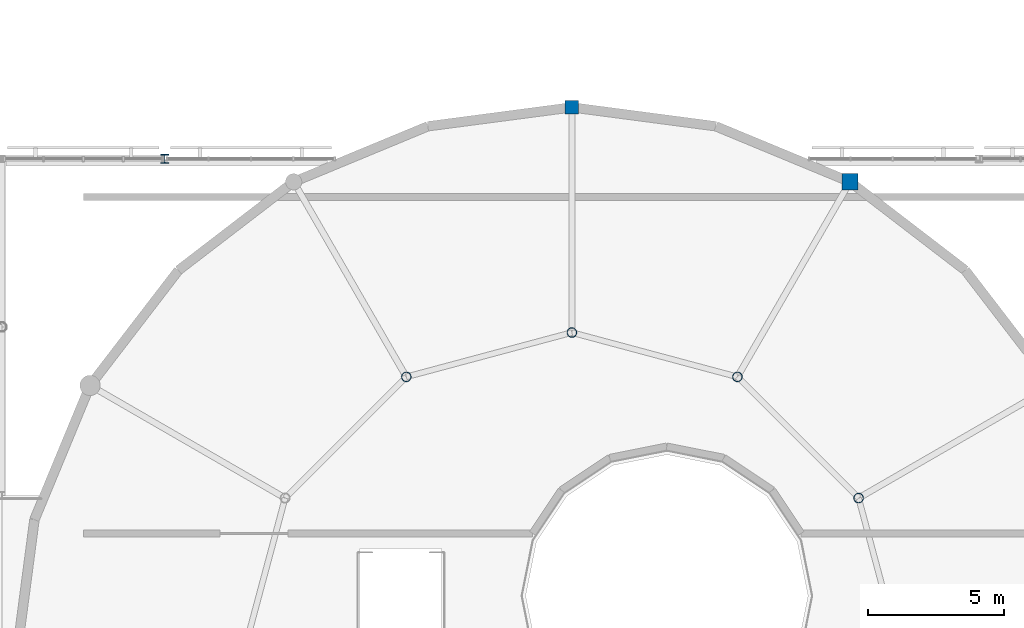
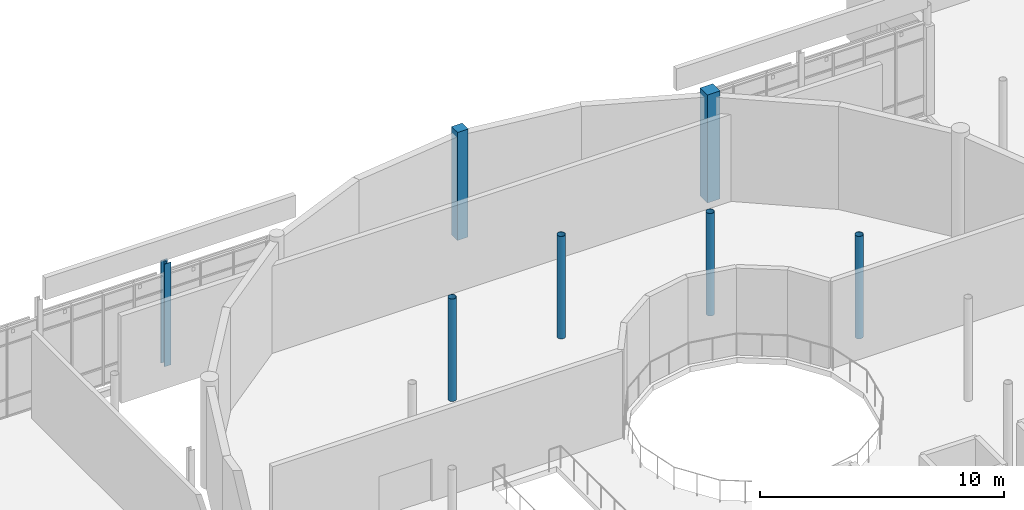
# One storey, part 10 of 105: 7 columns.
"""IFC4 building model written with IfcOpenShell, lengths in metres."""

from ifc_helpers import new_model, si_unit, direction, frame, origin, origin_2d, place, context, subcontext, project, spatial, rectangle, hollow_circle, i_section, extrude, material, material_profile, profile_set, type_object, element, save


model = new_model("IFC4")

# Units and contexts
model_context = context("Model", 3, precision=1e-05, world=origin(), true_north=direction((0.0, 1.0)))
body_context = subcontext(model_context, "Body", "Model", "MODEL_VIEW")
ifc_project = project(units=[si_unit("LENGTHUNIT", "METRE"), si_unit("AREAUNIT", "SQUARE_METRE"), si_unit("VOLUMEUNIT", "CUBIC_METRE"), si_unit("PLANEANGLEUNIT", "RADIAN"), si_unit("MASSUNIT", "GRAM", prefix="KILO")], contexts=[model_context])

# Site, building, storey
site_placement = place(None, origin())
site = spatial("IfcSite", under=ifc_project, at=site_placement, CompositionType="ELEMENT")
building_placement = place(site_placement, origin())
building = spatial("IfcBuilding", under=site, at=building_placement, Name="Mirzam Square Science Centre", CompositionType="ELEMENT")
storey_placement = place(building_placement, frame((0.0, 0.0, 5.39990234375)))
storey = spatial("IfcBuildingStorey", under=building, at=storey_placement, Name="L01", CompositionType="ELEMENT", Elevation=5.39990234375)

# Columns
ifc_material_1 = material(Name="Steel S355", Category="steel")
ifc_material_profile_1 = material_profile(ifc_material_1, hollow_circle(Radius=0.177734375, WallThickness=0.012451171875, at=origin_2d()), Name="355.6x12.5CHS")
ifc_profile_set_1 = profile_set([ifc_material_profile_1], Name="Steel S355")
column_type_1 = type_object("IfcColumnType", Name="COL-CHS355", PredefinedType="COLUMN", material=ifc_profile_set_1)
for number, where, z_axis, x_axis, name in (
    (1, (91.5654296875, 68.10009765625, 0.0), (0.0, 0.0, 1.0), (1.0, 0.0, 0.0), "L01 inner drum column 02"),
    (2, (87.10009765625, 72.5654296875, 0.0), (0.0, 0.0, 1.0), (1.0, 0.0, 0.0), "L01 inner drum column 03"),
    (3, (81.0, 74.199951171875, 0.0), (0.0, 0.0, 1.0), (1.0, 0.0, 0.0), "L01 inner drum column 04"),
    (4, (74.89990234375, 72.5654296875, 0.0), (0.0, 0.0, 1.0), (1.0, 0.0, 0.0), "L01 inner drum column 05"),
):
    element("IfcColumn", number, at=place(storey_placement, frame(where, z_axis=z_axis, x_axis=x_axis)), inside=storey, type_object=column_type_1, Name=name, PredefinedType="COLUMN", context=body_context, shape_type="SweptSolid", body=[
        extrude(hollow_circle(Radius=0.177734375, WallThickness=0.012451171875, at=origin_2d()), origin(), (0.0, 0.0, 1.0), 5.1201171875),
    ])
ifc_material_profile_2 = material_profile(ifc_material_1, i_section(OverallWidth=0.30908203125, OverallDepth=0.320556640625, WebThickness=0.013916015625, FlangeThickness=0.021728515625, FilletRadius=0.01513671875, at=origin_2d()), Name="305x305x137UC")
ifc_profile_set_2 = profile_set([ifc_material_profile_2], Name="Steel S355")
column_type_2 = type_object("IfcColumnType", Name="COL-UC305A", PredefinedType="COLUMN", material=ifc_profile_set_2)
column_1_placement = place(storey_placement, frame((66.0, 80.60009765625, 0.0), z_axis=(0.0, 0.0, 1.0), x_axis=(1.0, 0.0, 0.0)))
element("IfcColumn", 5, at=column_1_placement, inside=storey, type_object=column_type_2, Name="L01 column G12-14", PredefinedType="COLUMN", context=body_context, shape_type="SweptSolid", body=[
    extrude(i_section(OverallWidth=0.30908203125, OverallDepth=0.320556640625, WebThickness=0.013916015625, FlangeThickness=0.021728515625, FilletRadius=0.01513671875, at=origin_2d()), origin(), (0.0, 0.0, 1.0), 5.135009765625),
])
ifc_material_2 = material(Name="Concrete C45/55", Category="concrete")
ifc_material_profile_3 = material_profile(ifc_material_2, rectangle(XDim=0.5, YDim=0.5, at=origin_2d()), Name="RC500x500")
ifc_profile_set_3 = profile_set([ifc_material_profile_3], Name="Concrete C45/55")
column_type_3 = type_object("IfcColumnType", Name="PIL-RC500", PredefinedType="PILASTER", material=ifc_profile_set_3)
column_2_placement = place(storey_placement, frame((81.0, 82.5, 0.0), z_axis=(0.0, 0.0, 1.0), x_axis=(1.0, 0.0, 0.0)))
element("IfcColumn", 6, at=column_2_placement, inside=storey, type_object=column_type_3, Name="L01 drum pilaster 07", PredefinedType="PILASTER", context=body_context, shape_type="SweptSolid", body=[
    extrude(rectangle(XDim=0.5, YDim=0.5, at=origin_2d()), origin(), (0.0, 0.0, 1.0), 5.400146484375),
])
ifc_material_profile_4 = material_profile(ifc_material_2, rectangle(XDim=0.60009765625, YDim=0.60009765625, at=origin_2d()), Name="RC600x600")
ifc_profile_set_4 = profile_set([ifc_material_profile_4], Name="Concrete C45/55")
column_type_4 = type_object("IfcColumnType", Name="PIL-RC600", PredefinedType="PILASTER", material=ifc_profile_set_4)
column_3_placement = place(storey_placement, frame((91.25, 79.75341796875, 0.0), z_axis=(0.0, 0.0, 1.0), x_axis=(1.0, 0.0, 0.0)))
element("IfcColumn", 7, at=column_3_placement, inside=storey, type_object=column_type_4, Name="L01 drum pilaster 05", PredefinedType="PILASTER", context=body_context, shape_type="SweptSolid", body=[
    extrude(rectangle(XDim=0.60009765625, YDim=0.60009765625, at=origin_2d()), origin(), (0.0, 0.0, 1.0), 5.400146484375),
])

save(model, "model.ifc")
